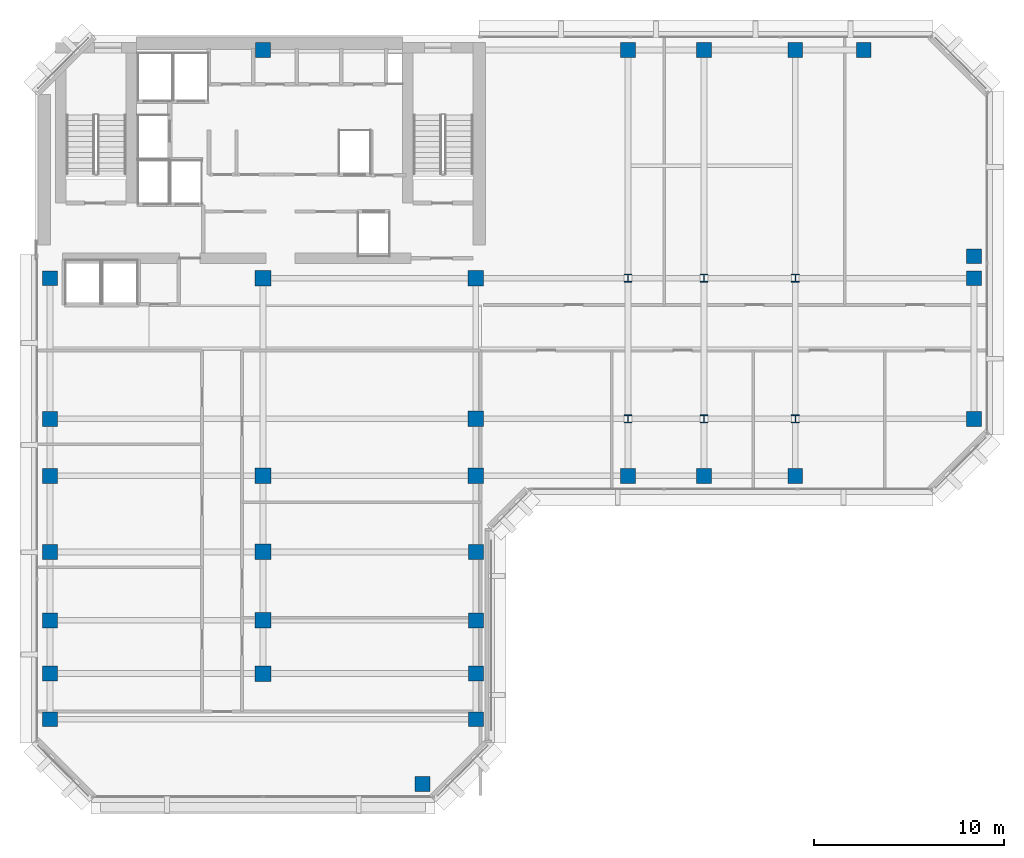
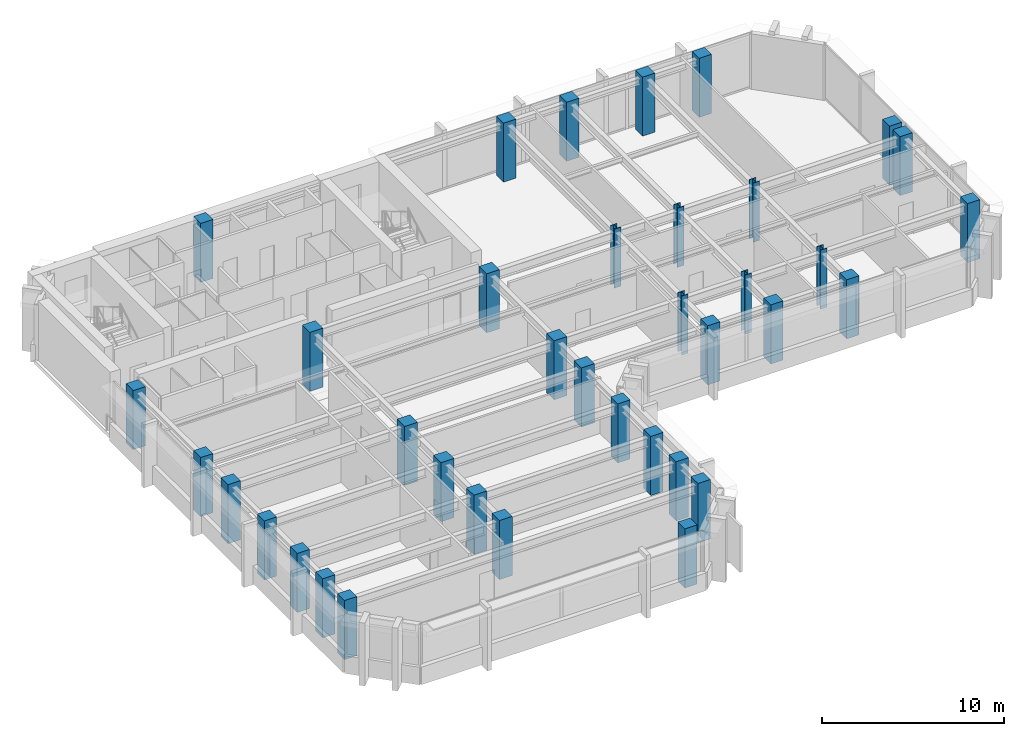
# One storey, part 1 of 12: 37 columns.
"""IFC4 building model written with IfcOpenShell, lengths in metres."""

import ifcopenshell
import ifcopenshell.guid

model = None  # the IFC model being written
_history = None  # IfcOwnerHistory: only IFC2X3 demands one
_inside = {}  # id of a spatial element -> (the spatial element, [elements in it])
_under = {}  # id of a project, library or spatial element -> (it, [spatial elements below it])
_declared = {}  # id of a project -> (the project, [libraries it declares])
_typed = {}  # id of a type object -> (the type object, [elements of that type])
_made_of = {}  # id of a material, layer set ... -> (it, [elements and type objects made of it])


def new_model(schema):
    """Start an empty IFC model of exactly this schema.

    Asked for "IFC4X3", IfcOpenShell would pick the latest addendum, in which some entities
    have other attributes; the version numbers below select the first issue.
    IFC2X3 requires an IfcOwnerHistory on every rooted entity: one is made here for all.
    """
    global model, _history
    if schema == "IFC4X3":
        model = ifcopenshell.file(schema_version=(4, 3, 0, 0))
    else:
        model = ifcopenshell.file(schema=schema)
    _inside.clear()
    _under.clear()
    _declared.clear()
    _typed.clear()
    _made_of.clear()
    _history = None
    if model.schema == "IFC2X3":
        org = make("IfcOrganization", Name="unknown")
        user = make(
            "IfcPersonAndOrganization",
            ThePerson=make("IfcPerson", FamilyName="unknown"),
            TheOrganization=org,
        )
        app = make(
            "IfcApplication",
            ApplicationDeveloper=org,
            Version="unknown",
            ApplicationFullName="unknown",
            ApplicationIdentifier="unknown",
        )
        _history = make(
            "IfcOwnerHistory",
            OwningUser=user,
            OwningApplication=app,
            ChangeAction="ADDED",
            CreationDate=0,
        )
    return model


def make(cls, **values):
    """One entity of the class cls with the attributes given. An attribute that is None is left unset."""
    return model.create_entity(
        cls, **{name: value for name, value in values.items() if value is not None}
    )


def rooted(cls, **values):
    """An entity with a GlobalId (a new one), such as an element, a storey or a relation."""
    return make(cls, GlobalId=ifcopenshell.guid.new(), OwnerHistory=_history, **values)


def si_unit(unit_type, name, prefix=None):
    """IfcSIUnit, for example si_unit("LENGTHUNIT", "METRE", prefix="MILLI")."""
    return make("IfcSIUnit", UnitType=unit_type, Prefix=prefix, Name=name)


def assignment(units):
    """IfcUnitAssignment: the units of a project."""
    return None if units is None else make("IfcUnitAssignment", Units=units)


def point(xyz):
    """IfcCartesianPoint."""
    return None if xyz is None else make("IfcCartesianPoint", Coordinates=xyz)


def direction(xyz):
    """IfcDirection."""
    return None if xyz is None else make("IfcDirection", DirectionRatios=xyz)


def frame(location, z_axis=None, x_axis=None):
    """IfcAxis2Placement3D, a coordinate frame: its origin and axes. An axis left out is left unset."""
    return make(
        "IfcAxis2Placement3D",
        Location=point(location),
        Axis=direction(z_axis),
        RefDirection=direction(x_axis),
    )


def frame_2d(location, x_axis=None):
    """IfcAxis2Placement2D, a coordinate frame in the plane: its origin and x axis."""
    return make(
        "IfcAxis2Placement2D", Location=point(location), RefDirection=direction(x_axis)
    )


def origin():
    """The frame at (0, 0, 0) with its axes left unset."""
    return frame((0.0, 0.0, 0.0))


def origin_2d():
    """The frame at (0, 0) in the plane with its x axis left unset."""
    return frame_2d((0.0, 0.0))


def place(relative_to, where):
    """IfcLocalPlacement: puts the frame where relative to a parent placement (None: the world)."""
    return make(
        "IfcLocalPlacement", PlacementRelTo=relative_to, RelativePlacement=where
    )


def context(
    kind, dimensions, precision=None, world=None, true_north=None, identifier=None
):
    """IfcGeometricRepresentationContext, for example the 3D "Model" context."""
    return make(
        "IfcGeometricRepresentationContext",
        ContextIdentifier=identifier,
        ContextType=kind,
        CoordinateSpaceDimension=dimensions,
        Precision=precision,
        WorldCoordinateSystem=world,
        TrueNorth=true_north,
    )


def subcontext(parent, identifier, kind, view, scale=None):
    """IfcGeometricRepresentationSubContext, for example "Body" below "Model"."""
    return make(
        "IfcGeometricRepresentationSubContext",
        ContextIdentifier=identifier,
        ContextType=kind,
        ParentContext=parent,
        TargetScale=scale,
        TargetView=view,
    )


def project(units=None, contexts=None):
    """IfcProject with its units and contexts."""
    return rooted(
        "IfcProject",
        Name="project",
        RepresentationContexts=contexts,
        UnitsInContext=assignment(units),
    )


def spatial(cls, under=None, at=None, **own):
    """A site, building, storey or space (cls), placed at a placement, below another one or the project."""
    s = rooted(cls, ObjectPlacement=at, **own)
    if under is not None:
        _under.setdefault(under.id(), (under, []))[1].append(s)
    return s


def profile(cls, at=None, kind="AREA", **sizes):
    """A parametric profile (cls). Its sizes go by their IFC names, for example OverallWidth=200.0."""
    return make(cls, ProfileType=kind, Position=at, **sizes)


def rectangle(**sizes):
    """IfcRectangleProfileDef."""
    return profile("IfcRectangleProfileDef", **sizes)


def i_section(**sizes):
    """IfcIShapeProfileDef."""
    return profile("IfcIShapeProfileDef", **sizes)


def extrude(swept, where, along, depth):
    """IfcExtrudedAreaSolid: the profile swept, set in the frame where, extruded along a direction by depth."""
    return make(
        "IfcExtrudedAreaSolid",
        SweptArea=swept,
        Position=where,
        ExtrudedDirection=direction(along),
        Depth=depth,
    )


def shape(context_of_items, identifier, shape_type, items):
    """IfcShapeRepresentation: the items that make up one representation, for example the "Body"."""
    return make(
        "IfcShapeRepresentation",
        ContextOfItems=context_of_items,
        RepresentationIdentifier=identifier,
        RepresentationType=shape_type,
        Items=items,
    )


def material(Name=None, Category=None):
    """IfcMaterial."""
    return make("IfcMaterial", Name=Name, Category=Category)


def material_profile(
    of_material, cross_section, Name=None, Category=None, Priority=None
):
    """IfcMaterialProfile: a cross section and its material."""
    return make(
        "IfcMaterialProfile",
        Name=Name,
        Material=of_material,
        Profile=cross_section,
        Priority=Priority,
        Category=Category,
    )


def profile_set(profiles, Name=None, composite=None):
    """IfcMaterialProfileSet."""
    return make(
        "IfcMaterialProfileSet",
        Name=Name,
        MaterialProfiles=profiles,
        CompositeProfile=composite,
    )


def made_of(thing, what):
    """Note that an element or type object is made of a material, layer set ...; save() writes the relation."""
    if what is not None:
        _made_of.setdefault(what.id(), (what, []))[1].append(thing)
    return thing


def type_object(cls, material=None, **own):
    """A type object (cls), such as IfcWallType, which elements share."""
    return made_of(rooted(cls, **own), material)


def element(
    cls,
    number,
    at=None,
    inside=None,
    cuts=None,
    type_object=None,
    material=None,
    context=None,
    identifier="Body",
    shape_type=None,
    held_by="IfcProductDefinitionShape",
    body=None,
    shapes=None,
    **own,
):
    """One element of the class cls, such as IfcWall. Its Tag is "e" and its number.

    at: its placement. inside: the storey or other place that contains it. cuts: it is an
    opening in that element (IfcRelVoidsElement). A single representation is given by context,
    identifier, shape_type and body (its items); several are given by shapes. held_by: the class
    of the entity that holds the representations. save() writes the other relations.
    """
    e = rooted(cls, Tag="e%d" % number, ObjectPlacement=at, **own)
    if body is not None:
        shapes = [shape(context, identifier, shape_type, body)]
    if shapes is not None:
        e.Representation = make(held_by, Representations=shapes)
    if inside is not None:
        _inside.setdefault(inside.id(), (inside, []))[1].append(e)
    if cuts is not None:
        rooted(
            "IfcRelVoidsElement", RelatingBuildingElement=cuts, RelatedOpeningElement=e
        )
    if type_object is not None:
        _typed.setdefault(type_object.id(), (type_object, []))[1].append(e)
    return made_of(e, material)


def aggregate(whole, parts):
    """IfcRelAggregates: a whole, such as a stair, and the parts it consists of."""
    return rooted("IfcRelAggregates", RelatingObject=whole, RelatedObjects=parts)


def save(model, path):
    """Write the relations noted so far, then the file.

    IfcRelAggregates (storeys below a building ...), IfcRelContainedInSpatialStructure (elements
    in a storey), IfcRelDefinesByType, IfcRelAssociatesMaterial and IfcRelDeclares: one each for
    every whole, place, type object, material and project.
    """
    for whole, parts in _under.values():
        aggregate(whole, parts)
    for where, things in _inside.values():
        rooted(
            "IfcRelContainedInSpatialStructure",
            RelatedElements=things,
            RelatingStructure=where,
        )
    for kind, things in _typed.values():
        rooted("IfcRelDefinesByType", RelatedObjects=things, RelatingType=kind)
    for what, things in _made_of.values():
        rooted("IfcRelAssociatesMaterial", RelatedObjects=things, RelatingMaterial=what)
    for by, libraries in _declared.values():
        rooted("IfcRelDeclares", RelatingContext=by, RelatedDefinitions=libraries)
    model.write(path)


model = new_model("IFC4")

# Units and contexts
model_context = context("Model", 3, precision=1e-05, world=origin(), true_north=direction((0.0, 1.0)))
body_context = subcontext(model_context, "Body", "Model", "MODEL_VIEW")
ifc_project = project(units=[si_unit("LENGTHUNIT", "METRE"), si_unit("AREAUNIT", "SQUARE_METRE"), si_unit("VOLUMEUNIT", "CUBIC_METRE"), si_unit("PLANEANGLEUNIT", "RADIAN"), si_unit("MASSUNIT", "GRAM", prefix="KILO")], contexts=[model_context])

# Site, building, storey
site_placement = place(None, origin())
site = spatial("IfcSite", under=ifc_project, at=site_placement, CompositionType="ELEMENT")
building_placement = place(site_placement, origin())
building = spatial("IfcBuilding", under=site, at=building_placement, Name="Kefirva Bronze Tower", CompositionType="ELEMENT")
storey_placement = place(building_placement, frame((0.0, 0.0, 256.409912109375)))
storey = spatial("IfcBuildingStorey", under=building, at=storey_placement, Name="L62", CompositionType="ELEMENT", Elevation=256.409912109375)

# Columns
ifc_material_1 = material(Name="Concrete C50/60", Category="concrete")
ifc_material_profile_1 = material_profile(ifc_material_1, rectangle(XDim=0.780029296875, YDim=0.780029296875, at=origin_2d()), Name="RC 780x780")
ifc_profile_set_1 = profile_set([ifc_material_profile_1], Name="Concrete C50/60")
column_type_1 = type_object("IfcColumnType", Name="RC Column 780x780 Ext", PredefinedType="COLUMN", material=ifc_profile_set_1)
for number, where, z_axis, x_axis, name in (
    (1, (0.800048828125, 10.0, 0.0), (0.0, 0.0, 1.0), (1.0, 0.0, 0.0), "L62 Column C008_100"),
    (2, (0.800048828125, 12.39990234375, 0.0), (0.0, 0.0, 1.0), (1.0, 0.0, 0.0), "L62 Column C008_124"),
    (3, (0.800048828125, 15.199951171875, 0.0), (0.0, 0.0, 1.0), (1.0, 0.0, 0.0), "L62 Column C008_152"),
    (4, (0.800048828125, 18.800048828125, 0.0), (0.0, 0.0, 1.0), (1.0, 0.0, 0.0), "L62 Column C008_188"),
    (5, (0.800048828125, 22.800048828125, 0.0), (0.0, 0.0, 1.0), (1.0, 0.0, 0.0), "L62 Column C008_228"),
    (6, (0.800048828125, 25.800048828125, 0.0), (0.0, 0.0, 1.0), (1.0, 0.0, 0.0), "L62 Column C008_258"),
    (7, (0.800048828125, 33.199951171875, 0.0), (0.0, 0.0, 1.0), (1.0, 0.0, 0.0), "L62 Column C008_332"),
    (8, (12.0, 45.199951171875, 0.0), (0.0, 0.0, 1.0), (1.0, 0.0, 0.0), "L62 Column C120_452"),
    (9, (20.39990234375, 6.60009765625, 0.0), (0.0, 0.0, 1.0), (1.0, 0.0, 0.0), "L62 Column C204_066"),
    (10, (23.199951171875, 10.0, 0.0), (0.0, 0.0, 1.0), (1.0, 0.0, 0.0), "L62 Column C232_100"),
    (11, (23.199951171875, 12.39990234375, 0.0), (0.0, 0.0, 1.0), (1.0, 0.0, 0.0), "L62 Column C232_124"),
    (12, (23.199951171875, 15.199951171875, 0.0), (0.0, 0.0, 1.0), (1.0, 0.0, 0.0), "L62 Column C232_152"),
    (13, (23.199951171875, 18.800048828125, 0.0), (0.0, 0.0, 1.0), (1.0, 0.0, 0.0), "L62 Column C232_188"),
    (14, (31.199951171875, 22.800048828125, 0.0), (0.0, 0.0, 1.0), (1.0, 0.0, 0.0), "L62 Column C312_228"),
    (15, (31.199951171875, 45.199951171875, 0.0), (0.0, 0.0, 1.0), (1.0, 0.0, 0.0), "L62 Column C312_452"),
    (16, (35.199951171875, 22.800048828125, 0.0), (0.0, 0.0, 1.0), (1.0, 0.0, 0.0), "L62 Column C352_228"),
    (17, (35.199951171875, 45.199951171875, 0.0), (0.0, 0.0, 1.0), (1.0, 0.0, 0.0), "L62 Column C352_452"),
    (18, (40.0, 22.800048828125, 0.0), (0.0, 0.0, 1.0), (1.0, 0.0, 0.0), "L62 Column C400_228"),
    (19, (40.0, 45.199951171875, 0.0), (0.0, 0.0, 1.0), (1.0, 0.0, 0.0), "L62 Column C400_452"),
    (20, (43.60009765625, 45.199951171875, 0.0), (0.0, 0.0, 1.0), (1.0, 0.0, 0.0), "L62 Column C436_452"),
    (21, (49.39990234375, 25.800048828125, 0.0), (0.0, 0.0, 1.0), (1.0, 0.0, 0.0), "L62 Column C494_258"),
    (22, (49.39990234375, 33.199951171875, 0.0), (0.0, 0.0, 1.0), (1.0, 0.0, 0.0), "L62 Column C494_332"),
    (23, (49.39990234375, 34.35009765625, 0.0), (0.0, 0.0, 1.0), (1.0, 0.0, 0.0), "L62 Column C494_344"),
):
    element("IfcColumn", number, at=place(storey_placement, frame(where, z_axis=z_axis, x_axis=x_axis)), inside=storey, type_object=column_type_1, Name=name, PredefinedType="COLUMN", context=body_context, shape_type="SweptSolid", body=[
        extrude(rectangle(XDim=0.780029296875, YDim=0.780029296875, at=origin_2d()), origin(), (0.0, 0.0, 1.0), 3.960205078125),
    ])
ifc_material_profile_2 = material_profile(ifc_material_1, rectangle(XDim=0.820068359375, YDim=0.820068359375, at=origin_2d()), Name="RC 820x820")
ifc_profile_set_2 = profile_set([ifc_material_profile_2], Name="Concrete C50/60")
column_type_2 = type_object("IfcColumnType", Name="RC Column 820x820 Int", PredefinedType="COLUMN", material=ifc_profile_set_2)
for number, where, z_axis, x_axis, name in (
    (24, (12.0, 12.39990234375, 0.0), (0.0, 0.0, 1.0), (1.0, 0.0, 0.0), "L62 Column C120_124"),
    (25, (12.0, 15.199951171875, 0.0), (0.0, 0.0, 1.0), (1.0, 0.0, 0.0), "L62 Column C120_152"),
    (26, (12.0, 18.800048828125, 0.0), (0.0, 0.0, 1.0), (1.0, 0.0, 0.0), "L62 Column C120_188"),
    (27, (12.0, 22.800048828125, 0.0), (0.0, 0.0, 1.0), (1.0, 0.0, 0.0), "L62 Column C120_228"),
    (28, (12.0, 33.199951171875, 0.0), (0.0, 0.0, 1.0), (1.0, 0.0, 0.0), "L62 Column C120_332"),
    (29, (23.199951171875, 22.800048828125, 0.0), (0.0, 0.0, 1.0), (1.0, 0.0, 0.0), "L62 Column C232_228"),
    (30, (23.199951171875, 25.800048828125, 0.0), (0.0, 0.0, 1.0), (1.0, 0.0, 0.0), "L62 Column C232_258"),
    (31, (23.199951171875, 33.199951171875, 0.0), (0.0, 0.0, 1.0), (1.0, 0.0, 0.0), "L62 Column C232_332"),
):
    element("IfcColumn", number, at=place(storey_placement, frame(where, z_axis=z_axis, x_axis=x_axis)), inside=storey, type_object=column_type_2, Name=name, PredefinedType="COLUMN", context=body_context, shape_type="SweptSolid", body=[
        extrude(rectangle(XDim=0.820068359375, YDim=0.820068359375, at=origin_2d()), origin(), (0.0, 0.0, 1.0), 3.960205078125),
    ])
ifc_material_2 = material(Name="Steel S460", Category="steel")
ifc_material_profile_3 = material_profile(ifc_material_2, i_section(OverallWidth=0.412109375, OverallDepth=0.43505859375, WebThickness=0.027099609375, FlangeThickness=0.04296875, at=origin_2d()), Name="HD 400x463")
ifc_profile_set_3 = profile_set([ifc_material_profile_3], Name="Steel S460")
column_type_3 = type_object("IfcColumnType", Name="Steel Column HD 400x463", PredefinedType="COLUMN", material=ifc_profile_set_3)
for number, where, z_axis, x_axis, name in (
    (32, (31.199951171875, 25.800048828125, 0.0), (0.0, 0.0, 1.0), (1.0, 0.0, 0.0), "L62 Column C312_258"),
    (33, (31.199951171875, 33.199951171875, 0.0), (0.0, 0.0, 1.0), (1.0, 0.0, 0.0), "L62 Column C312_332"),
    (34, (35.199951171875, 25.800048828125, 0.0), (0.0, 0.0, 1.0), (1.0, 0.0, 0.0), "L62 Column C352_258"),
    (35, (35.199951171875, 33.199951171875, 0.0), (0.0, 0.0, 1.0), (1.0, 0.0, 0.0), "L62 Column C352_332"),
    (36, (40.0, 25.800048828125, 0.0), (0.0, 0.0, 1.0), (1.0, 0.0, 0.0), "L62 Column C400_258"),
    (37, (40.0, 33.199951171875, 0.0), (0.0, 0.0, 1.0), (1.0, 0.0, 0.0), "L62 Column C400_332"),
):
    element("IfcColumn", number, at=place(storey_placement, frame(where, z_axis=z_axis, x_axis=x_axis)), inside=storey, type_object=column_type_3, Name=name, PredefinedType="COLUMN", context=body_context, shape_type="SweptSolid", body=[
        extrude(i_section(OverallWidth=0.412109375, OverallDepth=0.43505859375, WebThickness=0.027099609375, FlangeThickness=0.04296875, at=origin_2d()), origin(), (0.0, 0.0, 1.0), 3.960205078125),
    ])

save(model, "model.ifc")
